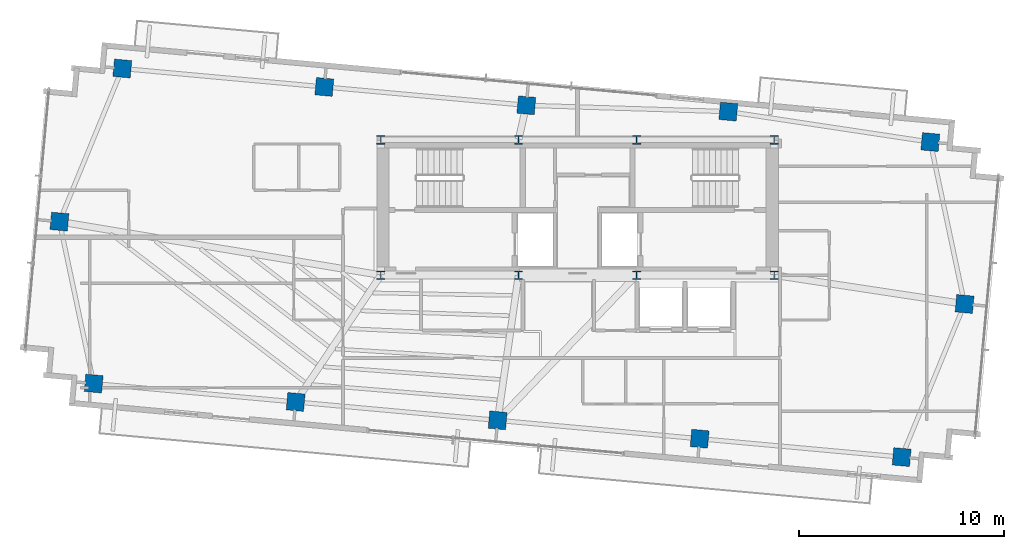
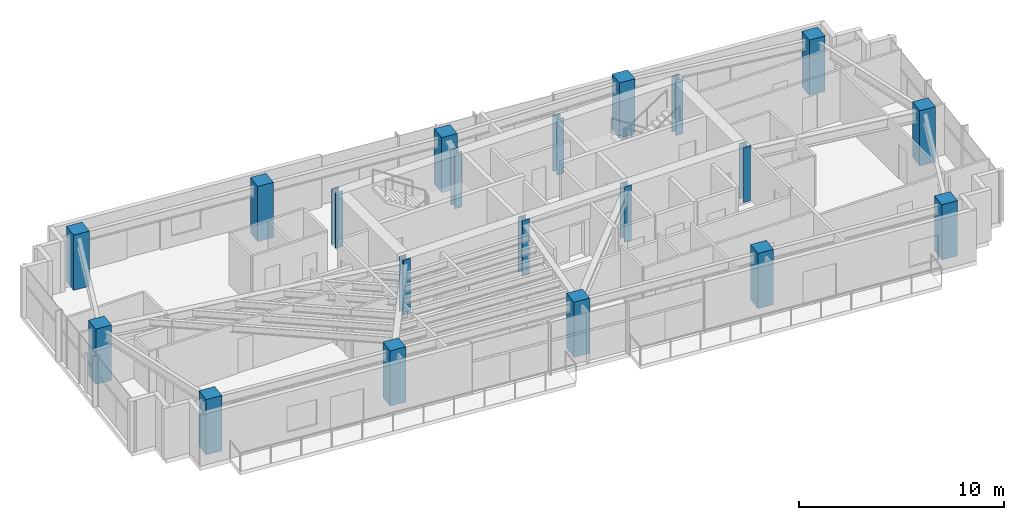
# One storey, part 1 of 22: 20 columns.
"""IFC4 building model written with IfcOpenShell, lengths in metres."""

from ifc_helpers import new_model, si_unit, direction, frame, origin, origin_2d, place, context, subcontext, project, spatial, rectangle, i_section, extrude, source, transform, mapped, material, material_profile, profile_set, type_object, type_shapes, element, save


model = new_model("IFC4")

# Units and contexts
model_context = context("Model", 3, precision=1e-05, world=origin(), true_north=direction((0.0, 1.0)))
body_context = subcontext(model_context, "Body", "Model", "MODEL_VIEW")
ifc_project = project(units=[si_unit("LENGTHUNIT", "METRE"), si_unit("AREAUNIT", "SQUARE_METRE"), si_unit("VOLUMEUNIT", "CUBIC_METRE"), si_unit("PLANEANGLEUNIT", "RADIAN"), si_unit("MASSUNIT", "GRAM", prefix="KILO")], contexts=[model_context])

# Site, building, storey
site_placement = place(None, origin())
site = spatial("IfcSite", under=ifc_project, at=site_placement, CompositionType="ELEMENT")
building_placement = place(site_placement, origin())
building = spatial("IfcBuilding", under=site, at=building_placement, Name="Astriad Promenade Condominiums", CompositionType="ELEMENT")
storey_placement = place(building_placement, frame((0.0, 0.0, 252.89990234375)))
storey = spatial("IfcBuildingStorey", under=building, at=storey_placement, Name="L73", CompositionType="ELEMENT", Elevation=252.89990234375)

# Columns
ifc_material_1 = material(Name="Steel ASTM A992 Grade 50", Category="steel")
ifc_material_profile_1 = material_profile(ifc_material_1, i_section(OverallWidth=0.4091796875, OverallDepth=0.42529296875, WebThickness=0.03271484375, FlangeThickness=0.052490234375, FilletRadius=0.017822265625, at=origin_2d()), Name="W14X283")
ifc_profile_set_1 = profile_set([ifc_material_profile_1], Name="Steel ASTM A992 Grade 50")
column_type_1 = type_object("IfcColumnType", Name="STEEL CORE PILASTER W14X283", PredefinedType="PILASTER", material=ifc_profile_set_1)
shared_shape_1 = source(origin(), body_context, "Body", "SweptSolid", [
    extrude(i_section(OverallWidth=0.4091796875, OverallDepth=0.42529296875, WebThickness=0.03271484375, FlangeThickness=0.052490234375, FilletRadius=0.017822265625, at=origin_2d()), origin(), (0.0, 0.0, 1.0), 3.2958984375),
])
type_shapes(column_type_1, [shared_shape_1])
for number, where, z_axis, x_axis, name in (
    (1, (26.39990234375, 17.39990234375, 0.002197265625), (0.0, 0.0, 1.0), (1.0, 0.0, 0.0), "Core Pilaster Column CP1 (L73)"),
    (2, (33.1201171875, 17.39990234375, 0.002197265625), (0.0, 0.0, 1.0), (1.0, 0.0, 0.0), "Core Pilaster Column CP2 (L73)"),
    (3, (38.8798828125, 17.39990234375, 0.002197265625), (0.0, 0.0, 1.0), (1.0, 0.0, 0.0), "Core Pilaster Column CP3 (L73)"),
    (4, (45.60009765625, 17.39990234375, 0.002197265625), (0.0, 0.0, 1.0), (1.0, 0.0, 0.0), "Core Pilaster Column CP4 (L73)"),
    (5, (26.39990234375, 24.0, 0.002197265625), (0.0, 0.0, 1.0), (1.0, 0.0, 0.0), "Core Pilaster Column CP5 (L73)"),
    (6, (33.1201171875, 24.0, 0.002197265625), (0.0, 0.0, 1.0), (1.0, 0.0, 0.0), "Core Pilaster Column CP6 (L73)"),
    (7, (38.8798828125, 24.0, 0.002197265625), (0.0, 0.0, 1.0), (1.0, 0.0, 0.0), "Core Pilaster Column CP7 (L73)"),
    (8, (45.60009765625, 24.0, 0.002197265625), (0.0, 0.0, 1.0), (1.0, 0.0, 0.0), "Core Pilaster Column CP8 (L73)"),
):
    element("IfcColumn", number, at=place(storey_placement, frame(where, z_axis=z_axis, x_axis=x_axis)), inside=storey, type_object=column_type_1, Name=name, PredefinedType="PILASTER", context=body_context, shape_type="MappedRepresentation", body=[
        mapped(shared_shape_1, transform((0.0, 0.0, 0.0), scale=1.0)),
    ])
ifc_material_2 = material(Name="Concrete C50/60", Category="concrete")
ifc_material_profile_2 = material_profile(ifc_material_2, rectangle(XDim=0.85009765625, YDim=0.85009765625, at=origin_2d()), Name="RC-COL-850X850")
ifc_profile_set_2 = profile_set([ifc_material_profile_2], Name="Concrete C50/60")
column_type_2 = type_object("IfcColumnType", Name="CONCRETE TOWER COLUMN 850X850", PredefinedType="COLUMN", material=ifc_profile_set_2)
shared_shape_2 = source(origin(), body_context, "Body", "SweptSolid", [
    extrude(rectangle(XDim=0.85009765625, YDim=0.85009765625, at=origin_2d()), origin(), (0.0, 0.0, 1.0), 3.2958984375),
])
type_shapes(column_type_2, [shared_shape_2])
for number, where, z_axis, x_axis, name in (
    (9, (12.3818359375, 12.106201171875, 0.002197265625), (0.0, 0.0, 1.0), (0.995884398616, -0.090632580198, 0.0), "Perimeter Column PC01 (L73)"),
    (10, (22.2412109375, 11.208984375, 0.002197265625), (0.0, 0.0, 1.0), (0.995884398616, -0.090632580198, 0.0), "Perimeter Column PC02 (L73)"),
    (11, (32.100341796875, 10.311767578125, 0.002197265625), (0.0, 0.0, 1.0), (0.995884398616, -0.090632580198, 0.0), "Perimeter Column PC03 (L73)"),
    (12, (41.959716796875, 9.41455078125, 0.002197265625), (0.0, 0.0, 1.0), (0.995884398616, -0.090632580198, 0.0), "Perimeter Column PC04 (L73)"),
    (13, (51.81884765625, 8.51708984375, 0.002197265625), (0.0, 0.0, 1.0), (0.995884398616, -0.090632580198, 0.0), "Perimeter Column PC05 (L73)"),
    (14, (13.78125, 27.48291015625, 0.002197265625), (0.0, 0.0, 1.0), (0.995884398616, -0.090632580198, 0.0), "Perimeter Column PC06 (L73)"),
    (15, (23.640380859375, 26.58544921875, 0.002197265625), (0.0, 0.0, 1.0), (0.995884398616, -0.090632580198, 0.0), "Perimeter Column PC07 (L73)"),
    (16, (33.499755859375, 25.688232421875, 0.002197265625), (0.0, 0.0, 1.0), (0.995884398616, -0.090632580198, 0.0), "Perimeter Column PC08 (L73)"),
    (17, (43.35888671875, 25.3798828125, 0.002197265625), (0.0, 0.0, 1.0), (0.995884398616, -0.090632580198, 0.0), "Perimeter Column PC09 (L73)"),
    (18, (53.21826171875, 23.893798828125, 0.002197265625), (0.0, 0.0, 1.0), (0.995884398616, -0.090632580198, 0.0), "Perimeter Column PC10 (L73)"),
    (19, (10.711181640625, 20.01025390625, 0.002197265625), (0.0, 0.0, 1.0), (0.995884398616, -0.090632580198, 0.0), "Perimeter Column PC11 (L73)"),
    (20, (54.888671875, 15.98974609375, 0.002197265625), (0.0, 0.0, 1.0), (0.995884398616, -0.090632580198, 0.0), "Perimeter Column PC12 (L73)"),
):
    element("IfcColumn", number, at=place(storey_placement, frame(where, z_axis=z_axis, x_axis=x_axis)), inside=storey, type_object=column_type_2, Name=name, PredefinedType="COLUMN", context=body_context, shape_type="MappedRepresentation", body=[
        mapped(shared_shape_2, transform((0.0, 0.0, 0.0), scale=1.0)),
    ])

save(model, "model.ifc")
